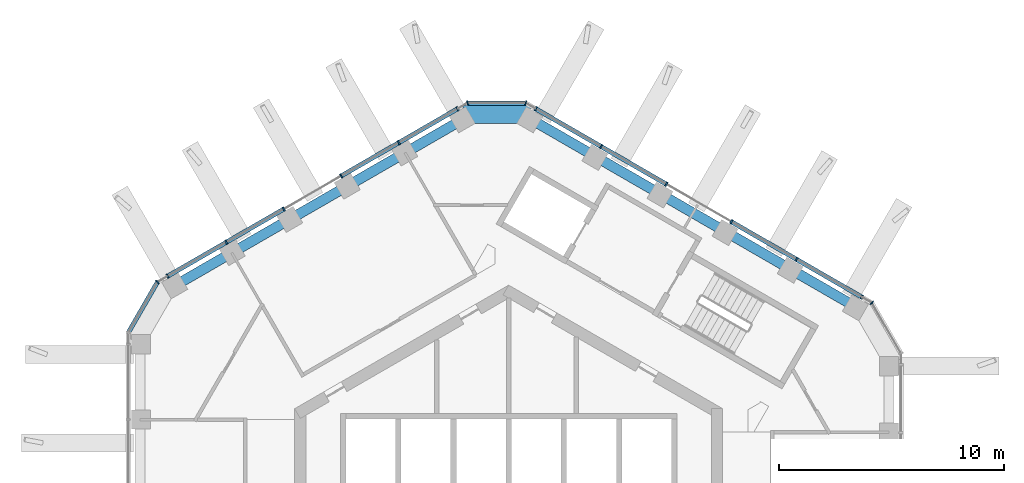
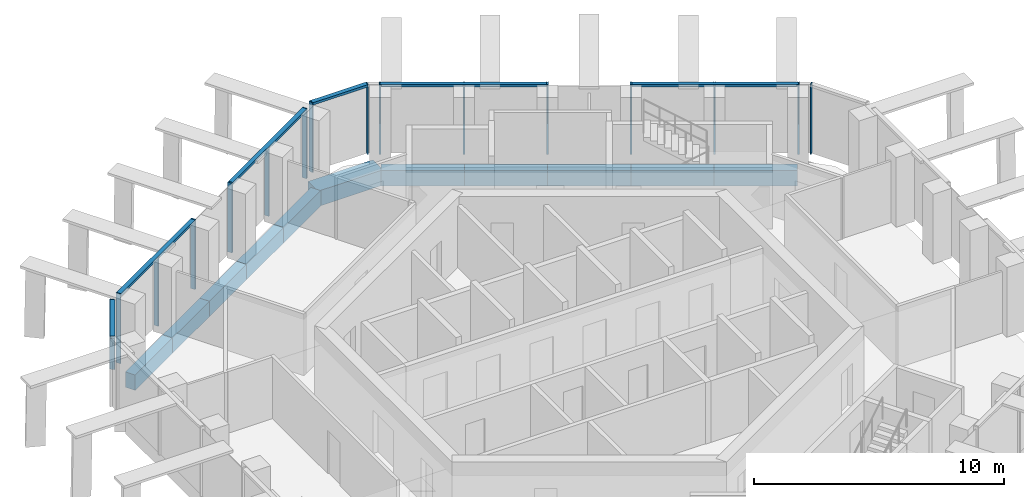
# One storey, part 5 of 17: 22 members, 11 beams, 5 elements without a shape of their own.
"""IFC4 building model written with IfcOpenShell, lengths in metres."""

from ifc_helpers import new_model, si_unit, direction, frame, origin, origin_2d, place, context, subcontext, project, spatial, rectangle, extrude, material, layer, layer_set, material_profile, profile_set, type_object, element, aggregate, save


model = new_model("IFC4")

# Units and contexts
model_context = context("Model", 3, precision=1e-05, world=origin(), true_north=direction((0.0, 1.0)))
body_context = subcontext(model_context, "Body", "Model", "MODEL_VIEW")
ifc_project = project(units=[si_unit("LENGTHUNIT", "METRE"), si_unit("AREAUNIT", "SQUARE_METRE"), si_unit("VOLUMEUNIT", "CUBIC_METRE"), si_unit("PLANEANGLEUNIT", "RADIAN"), si_unit("MASSUNIT", "GRAM", prefix="KILO")], contexts=[model_context])

# Site, building, storey
site_placement = place(None, origin())
site = spatial("IfcSite", under=ifc_project, at=site_placement, CompositionType="ELEMENT")
building_placement = place(site_placement, origin())
building = spatial("IfcBuilding", under=site, at=building_placement, Name="Ayvan Gate Tower", CompositionType="ELEMENT")
storey_placement = place(building_placement, frame((0.0, 0.0, 249.5)))
storey = spatial("IfcBuildingStorey", under=building, at=storey_placement, Name="L67", CompositionType="ELEMENT", Elevation=249.5)

# Beams
ifc_material_1 = material(Name="Concrete C40/50", Category="concrete")
ifc_material_profile_1 = material_profile(ifc_material_1, rectangle(XDim=0.800048828125, YDim=0.75, at=origin_2d()), Name="RC 800x750")
ifc_profile_set_1 = profile_set([ifc_material_profile_1], Name="Concrete C40/50")
beam_type_1 = type_object("IfcBeamType", Name="Corner spandrel beam RC 800x750 C40/50", PredefinedType="BEAM", material=ifc_profile_set_1)
beam_1_placement = place(storey_placement, frame((0.978515625, 18.552978515625, -0.72509765625), z_axis=(-1.0, 0.0, 0.0), x_axis=(0.0, -1.0, 0.0)))
element("IfcBeam", 1, at=beam_1_placement, inside=storey, type_object=beam_type_1, Name="SB-L67-12", PredefinedType="BEAM", context=body_context, shape_type="SweptSolid", body=[
    extrude(rectangle(XDim=0.800048828125, YDim=0.75, at=origin_2d()), origin(), (0.0, 0.0, 1.0), 3.0),
])
ifc_material_profile_2 = material_profile(ifc_material_1, rectangle(XDim=0.449951171875, YDim=0.75, at=origin_2d()), Name="RC 450x750")
ifc_profile_set_2 = profile_set([ifc_material_profile_2], Name="Concrete C40/50")
beam_type_2 = type_object("IfcBeamType", Name="Spandrel beam RC 450x750 C40/50", PredefinedType="BEAM", material=ifc_profile_set_2)
beam_2_placement = place(storey_placement, frame((15.387451171875, 10.013916015625, -0.72509765625), z_axis=(-0.866026756424, 0.499997657153, 0.0), x_axis=(-0.499997657153, -0.866026756424, 0.0)))
element("IfcBeam", 2, at=beam_2_placement, inside=storey, type_object=beam_type_2, Name="SB-L67-7", PredefinedType="BEAM", context=body_context, shape_type="SweptSolid", body=[
    extrude(rectangle(XDim=0.449951171875, YDim=0.75, at=origin_2d()), origin(), (0.0, 0.0, 1.0), 3.32763671875),
])
beam_3_placement = place(storey_placement, frame((12.505615234375, 11.677734375, -0.72509765625), z_axis=(-0.866008413041, 0.500029427677, 0.0), x_axis=(-0.500029427677, -0.866008413041, 0.0)))
element("IfcBeam", 3, at=beam_3_placement, inside=storey, type_object=beam_type_2, Name="SB-L67-8", PredefinedType="BEAM", context=body_context, shape_type="SweptSolid", body=[
    extrude(rectangle(XDim=0.449951171875, YDim=0.75, at=origin_2d()), origin(), (0.0, 0.0, 1.0), 3.327392578125),
])
for number, where, z_axis, x_axis, name in (
    (4, (9.6240234375, 13.341552734375, -0.72509765625), (-0.866026756424, 0.499997657153, 0.0), (-0.499997657153, -0.866026756424, 0.0), "SB-L67-9"),
    (5, (6.7421875, 15.00537109375, -0.72509765625), (-0.866026756424, 0.499997657153, 0.0), (-0.499997657153, -0.866026756424, 0.0), "SB-L67-10"),
    (6, (3.8603515625, 16.669189453125, -0.72509765625), (-0.866026756424, 0.499997657153, 0.0), (-0.499997657153, -0.866026756424, 0.0), "SB-L67-11"),
):
    element("IfcBeam", number, at=place(storey_placement, frame(where, z_axis=z_axis, x_axis=x_axis)), inside=storey, type_object=beam_type_2, Name=name, PredefinedType="BEAM", context=body_context, shape_type="SweptSolid", body=[
        extrude(rectangle(XDim=0.449951171875, YDim=0.75, at=origin_2d()), origin(), (0.0, 0.0, 1.0), 3.32763671875),
    ])
for number, where, z_axis, x_axis, name in (
    (7, (-2.021484375, 18.3330078125, -0.72509765625), (-0.866021110356, -0.500007436363, 0.0), (0.500007436363, -0.866021110356, 0.0), "SB-L67-13"),
    (8, (-4.59033203125, 16.849853515625, -0.72509765625), (-0.866021110356, -0.500007436363, 0.0), (0.500007436363, -0.866021110356, 0.0), "SB-L67-14"),
):
    element("IfcBeam", number, at=place(storey_placement, frame(where, z_axis=z_axis, x_axis=x_axis)), inside=storey, type_object=beam_type_2, Name=name, PredefinedType="BEAM", context=body_context, shape_type="SweptSolid", body=[
        extrude(rectangle(XDim=0.449951171875, YDim=0.75, at=origin_2d()), origin(), (0.0, 0.0, 1.0), 2.96630859375),
    ])
beam_4_placement = place(storey_placement, frame((-7.1591796875, 15.36669921875, -0.72509765625), z_axis=(-0.866006048917, -0.500033522115, 0.0), x_axis=(0.500033522115, -0.866006048917, 0.0)))
element("IfcBeam", 9, at=beam_4_placement, inside=storey, type_object=beam_type_2, Name="SB-L67-15", PredefinedType="BEAM", context=body_context, shape_type="SweptSolid", body=[
    extrude(rectangle(XDim=0.449951171875, YDim=0.75, at=origin_2d()), origin(), (0.0, 0.0, 1.0), 2.966552734375),
])
for number, where, z_axis, x_axis, name in (
    (10, (-9.728271484375, 13.88330078125, -0.72509765625), (-0.866021110356, -0.500007436363, 0.0), (0.500007436363, -0.866021110356, 0.0), "SB-L67-16"),
    (11, (-12.297119140625, 12.400146484375, -0.72509765625), (-0.866021110356, -0.500007436363, 0.0), (0.500007436363, -0.866021110356, 0.0), "SB-L67-17"),
):
    element("IfcBeam", number, at=place(storey_placement, frame(where, z_axis=z_axis, x_axis=x_axis)), inside=storey, type_object=beam_type_2, Name=name, PredefinedType="BEAM", context=body_context, shape_type="SweptSolid", body=[
        extrude(rectangle(XDim=0.449951171875, YDim=0.75, at=origin_2d()), origin(), (0.0, 0.0, 1.0), 2.96630859375),
    ])

# Curtain wall, members
ifc_material_2 = material(Name="Bronze anodised aluminium", Category="aluminium")
ifc_layer_1 = layer(ifc_material_2, 0.199951171875)
ifc_layer_set_1 = layer_set([ifc_layer_1], Name="Bronze anodised aluminium")
curtain_wall_type_1 = type_object("IfcCurtainWallType", Name="Stick curtain wall CW-2", PredefinedType="NOTDEFINED", material=ifc_layer_set_1)
curtain_wall_1_placement = place(storey_placement, origin())
curtain_wall_1 = element("IfcCurtainWall", 12, at=curtain_wall_1_placement, inside=storey, type_object=curtain_wall_type_1, Name="Stick curtain wall CW-2 L67", PredefinedType="NOTDEFINED")
ifc_material_profile_3 = material_profile(ifc_material_2, rectangle(XDim=0.199951171875, YDim=0.070068359375, at=origin_2d()), Name="Stick curtain wall CW-2 mullion 200 x 70")
ifc_profile_set_3 = profile_set([ifc_material_profile_3], Name="Bronze anodised aluminium")
member_type_1 = type_object("IfcMemberType", Name="Stick curtain wall CW-2 mullion 200 x 70", PredefinedType="MULLION", material=ifc_profile_set_3)
member_1_placement = place(storey_placement, frame((-2.26708984375, 18.79736328125, 0.0), z_axis=(0.0, 0.0, 1.0), x_axis=(-0.5, 0.866025403784, 0.0)))
member_1 = element("IfcMember", 13, at=member_1_placement, type_object=member_type_1, Name="CW-2 mullion 1", PredefinedType="MULLION", context=body_context, shape_type="SweptSolid", body=[
    extrude(rectangle(XDim=0.199951171875, YDim=0.070068359375, at=origin_2d()), origin(), (0.0, 0.0, 1.0), 3.39990234375),
])
member_2_placement = place(storey_placement, frame((-4.878173828125, 17.289794921875, 0.0), z_axis=(0.0, 0.0, 1.0), x_axis=(-0.5, 0.866025403784, 0.0)))
member_2 = element("IfcMember", 14, at=member_2_placement, type_object=member_type_1, Name="CW-2 mullion 2", PredefinedType="MULLION", context=body_context, shape_type="SweptSolid", body=[
    extrude(rectangle(XDim=0.199951171875, YDim=0.070068359375, at=origin_2d()), origin(), (0.0, 0.0, 1.0), 3.39990234375),
])
member_3_placement = place(storey_placement, frame((-7.430419921875, 15.81640625, 0.0), z_axis=(0.0, 0.0, 1.0), x_axis=(-0.5, 0.866025403784, 0.0)))
member_3 = element("IfcMember", 15, at=member_3_placement, type_object=member_type_1, Name="CW-2 mullion 3", PredefinedType="MULLION", context=body_context, shape_type="SweptSolid", body=[
    extrude(rectangle(XDim=0.199951171875, YDim=0.070068359375, at=origin_2d()), origin(), (0.0, 0.0, 1.0), 3.39990234375),
])
member_4_placement = place(storey_placement, frame((-9.982421875, 14.3427734375, 0.0), z_axis=(0.0, 0.0, 1.0), x_axis=(-0.5, 0.866025403784, 0.0)))
member_4 = element("IfcMember", 16, at=member_4_placement, type_object=member_type_1, Name="CW-2 mullion 4", PredefinedType="MULLION", context=body_context, shape_type="SweptSolid", body=[
    extrude(rectangle(XDim=0.199951171875, YDim=0.070068359375, at=origin_2d()), origin(), (0.0, 0.0, 1.0), 3.39990234375),
])
member_5_placement = place(storey_placement, frame((-12.53369140625, 12.869873046875, 0.0), z_axis=(0.0, 0.0, 1.0), x_axis=(-0.5, 0.866025403784, 0.0)))
member_5 = element("IfcMember", 17, at=member_5_placement, type_object=member_type_1, Name="CW-2 mullion 5", PredefinedType="MULLION", context=body_context, shape_type="SweptSolid", body=[
    extrude(rectangle(XDim=0.199951171875, YDim=0.070068359375, at=origin_2d()), origin(), (0.0, 0.0, 1.0), 3.39990234375),
])
member_6_placement = place(storey_placement, frame((-15.1455078125, 11.362060546875, 0.0), z_axis=(0.0, 0.0, 1.0), x_axis=(-0.5, 0.866025403784, 0.0)))
member_6 = element("IfcMember", 18, at=member_6_placement, type_object=member_type_1, Name="CW-2 mullion 6", PredefinedType="MULLION", context=body_context, shape_type="SweptSolid", body=[
    extrude(rectangle(XDim=0.199951171875, YDim=0.070068359375, at=origin_2d()), origin(), (0.0, 0.0, 1.0), 3.39990234375),
])

curtain_wall_2_placement = place(storey_placement, origin())
curtain_wall_2 = element("IfcCurtainWall", 19, at=curtain_wall_2_placement, inside=storey, type_object=curtain_wall_type_1, Name="Stick curtain wall CW-2 L67", PredefinedType="NOTDEFINED")
member_7_placement = place(storey_placement, frame((15.679443359375, 10.436767578125, 0.0), z_axis=(0.0, 0.0, 1.0), x_axis=(0.5, 0.866025403784, 0.0)))
member_7 = element("IfcMember", 20, at=member_7_placement, type_object=member_type_1, Name="CW-2 mullion 1", PredefinedType="MULLION", context=body_context, shape_type="SweptSolid", body=[
    extrude(rectangle(XDim=0.199951171875, YDim=0.070068359375, at=origin_2d()), origin(), (0.0, 0.0, 1.0), 3.39990234375),
])
member_8_placement = place(storey_placement, frame((12.77490234375, 12.11376953125, 0.0), z_axis=(0.0, 0.0, 1.0), x_axis=(0.5, 0.866025403784, 0.0)))
member_8 = element("IfcMember", 21, at=member_8_placement, type_object=member_type_1, Name="CW-2 mullion 2", PredefinedType="MULLION", context=body_context, shape_type="SweptSolid", body=[
    extrude(rectangle(XDim=0.199951171875, YDim=0.070068359375, at=origin_2d()), origin(), (0.0, 0.0, 1.0), 3.39990234375),
])
member_9_placement = place(storey_placement, frame((9.884033203125, 13.782958984375, 0.0), z_axis=(0.0, 0.0, 1.0), x_axis=(0.5, 0.866025403784, 0.0)))
member_9 = element("IfcMember", 22, at=member_9_placement, type_object=member_type_1, Name="CW-2 mullion 3", PredefinedType="MULLION", context=body_context, shape_type="SweptSolid", body=[
    extrude(rectangle(XDim=0.199951171875, YDim=0.070068359375, at=origin_2d()), origin(), (0.0, 0.0, 1.0), 3.39990234375),
])
member_10_placement = place(storey_placement, frame((6.994140625, 15.451416015625, 0.0), z_axis=(0.0, 0.0, 1.0), x_axis=(0.5, 0.866025403784, 0.0)))
member_10 = element("IfcMember", 23, at=member_10_placement, type_object=member_type_1, Name="CW-2 mullion 4", PredefinedType="MULLION", context=body_context, shape_type="SweptSolid", body=[
    extrude(rectangle(XDim=0.199951171875, YDim=0.070068359375, at=origin_2d()), origin(), (0.0, 0.0, 1.0), 3.39990234375),
])
member_11_placement = place(storey_placement, frame((4.103271484375, 17.120361328125, 0.0), z_axis=(0.0, 0.0, 1.0), x_axis=(0.5, 0.866025403784, 0.0)))
member_11 = element("IfcMember", 24, at=member_11_placement, type_object=member_type_1, Name="CW-2 mullion 5", PredefinedType="MULLION", context=body_context, shape_type="SweptSolid", body=[
    extrude(rectangle(XDim=0.199951171875, YDim=0.070068359375, at=origin_2d()), origin(), (0.0, 0.0, 1.0), 3.39990234375),
])
member_12_placement = place(storey_placement, frame((1.19873046875, 18.79736328125, 0.0), z_axis=(0.0, 0.0, 1.0), x_axis=(0.5, 0.866025403784, 0.0)))
member_12 = element("IfcMember", 25, at=member_12_placement, type_object=member_type_1, Name="CW-2 mullion 6", PredefinedType="MULLION", context=body_context, shape_type="SweptSolid", body=[
    extrude(rectangle(XDim=0.199951171875, YDim=0.070068359375, at=origin_2d()), origin(), (0.0, 0.0, 1.0), 3.39990234375),
])

# Member
ifc_material_profile_4 = material_profile(ifc_material_2, rectangle(XDim=0.199951171875, YDim=0.1201171875, at=origin_2d()), Name="Stick curtain wall CW-2 transom 200 x 120")
ifc_profile_set_4 = profile_set([ifc_material_profile_4], Name="Bronze anodised aluminium")
member_type_2 = type_object("IfcMemberType", Name="Stick curtain wall CW-2 transom 200 x 120", PredefinedType="USERDEFINED", material=ifc_profile_set_4)
member_13_placement = place(storey_placement, frame((-2.26708984375, 18.79736328125, 3.340087890625), z_axis=(-0.866011349365, -0.500024342178, 0.0), x_axis=(0.500024342178, -0.866011349365, 0.0)))
member_13 = element("IfcMember", 26, at=member_13_placement, type_object=member_type_2, Name="CW-2 transom 1", ObjectType="TRANSOM", PredefinedType="USERDEFINED", context=body_context, shape_type="SweptSolid", body=[
    extrude(rectangle(XDim=0.199951171875, YDim=0.1201171875, at=origin_2d()), origin(), (0.0, 0.0, 1.0), 5.927001953125),
])

member_14_placement = place(storey_placement, frame((-10.0126953125, 14.325439453125, 3.340087890625), z_axis=(-0.866029186229, -0.499993448556, 0.0), x_axis=(0.499993448556, -0.866029186229, 0.0)))
member_14 = element("IfcMember", 27, at=member_14_placement, type_object=member_type_2, Name="CW-2 transom 2", ObjectType="TRANSOM", PredefinedType="USERDEFINED", context=body_context, shape_type="SweptSolid", body=[
    extrude(rectangle(XDim=0.199951171875, YDim=0.1201171875, at=origin_2d()), origin(), (0.0, 0.0, 1.0), 5.9267578125),
])

aggregate(curtain_wall_1, [member_1, member_2, member_3, member_4, member_5, member_6, member_13, member_14])

member_15_placement = place(storey_placement, frame((15.679443359375, 10.436767578125, 3.340087890625), z_axis=(-0.866018245766, 0.500012397847, 0.0), x_axis=(-0.500012397847, -0.866018245766, 0.0)))
member_15 = element("IfcMember", 28, at=member_15_placement, type_object=member_type_2, Name="CW-2 transom 1", ObjectType="TRANSOM", PredefinedType="USERDEFINED", context=body_context, shape_type="SweptSolid", body=[
    extrude(rectangle(XDim=0.199951171875, YDim=0.1201171875, at=origin_2d()), origin(), (0.0, 0.0, 1.0), 6.656982421875),
])

member_16_placement = place(storey_placement, frame((6.9638671875, 15.468994140625, 3.340087890625), z_axis=(-0.866034126161, 0.499984892096, 0.0), x_axis=(-0.499984892096, -0.866034126161, 0.0)))
member_16 = element("IfcMember", 29, at=member_16_placement, type_object=member_type_2, Name="CW-2 transom 2", ObjectType="TRANSOM", PredefinedType="USERDEFINED", context=body_context, shape_type="SweptSolid", body=[
    extrude(rectangle(XDim=0.199951171875, YDim=0.1201171875, at=origin_2d()), origin(), (0.0, 0.0, 1.0), 6.656982421875),
])

aggregate(curtain_wall_2, [member_7, member_8, member_9, member_10, member_11, member_12, member_15, member_16])

# Curtain wall, member
ifc_layer_2 = layer(ifc_material_2, 0.199951171875)
ifc_layer_set_2 = layer_set([ifc_layer_2], Name="Bronze anodised aluminium")
curtain_wall_type_2 = type_object("IfcCurtainWallType", Name="Stick curtain wall CW-6", PredefinedType="NOTDEFINED", material=ifc_layer_set_2)
curtain_wall_3_placement = place(storey_placement, origin())
curtain_wall_3 = element("IfcCurtainWall", 30, at=curtain_wall_3_placement, inside=storey, type_object=curtain_wall_type_2, Name="Stick curtain wall CW-6 L67", PredefinedType="NOTDEFINED")
ifc_material_profile_5 = material_profile(ifc_material_2, rectangle(XDim=0.199951171875, YDim=0.050048828125, at=origin_2d()), Name="Stick curtain wall CW-6 mullion 200 x 50")
ifc_profile_set_5 = profile_set([ifc_material_profile_5], Name="Bronze anodised aluminium")
member_type_3 = type_object("IfcMemberType", Name="Stick curtain wall CW-6 mullion 200 x 50", PredefinedType="MULLION", material=ifc_profile_set_5)
member_17_placement = place(storey_placement, frame((-15.587158203125, 11.10693359375, 0.0), z_axis=(0.0, 0.0, 1.0), x_axis=(-0.707106781187, 0.707106781187, 0.0)))
member_17 = element("IfcMember", 31, at=member_17_placement, type_object=member_type_3, Name="CW-6 mullion 2", PredefinedType="MULLION", context=body_context, shape_type="SweptSolid", body=[
    extrude(rectangle(XDim=0.199951171875, YDim=0.050048828125, at=origin_2d()), origin(), (0.0, 0.0, 1.0), 3.39990234375),
])

curtain_wall_4_placement = place(storey_placement, origin())
curtain_wall_4 = element("IfcCurtainWall", 32, at=curtain_wall_4_placement, inside=storey, type_object=curtain_wall_type_2, Name="Stick curtain wall CW-6 L67", PredefinedType="NOTDEFINED")
member_18_placement = place(storey_placement, frame((16.12109375, 10.181884765625, 0.0), z_axis=(0.0, 0.0, 1.0), x_axis=(0.707106781187, 0.707106781187, 0.0)))
member_18 = element("IfcMember", 33, at=member_18_placement, type_object=member_type_3, Name="CW-6 mullion 3", PredefinedType="MULLION", context=body_context, shape_type="SweptSolid", body=[
    extrude(rectangle(XDim=0.199951171875, YDim=0.050048828125, at=origin_2d()), origin(), (0.0, 0.0, 1.0), 3.39990234375),
])
aggregate(curtain_wall_4, [member_18])

# Curtain wall, members
curtain_wall_5_placement = place(storey_placement, origin())
curtain_wall_5 = element("IfcCurtainWall", 34, at=curtain_wall_5_placement, inside=storey, type_object=curtain_wall_type_2, Name="Stick curtain wall CW-6 L67", PredefinedType="NOTDEFINED")
member_19_placement = place(storey_placement, frame((0.757080078125, 19.05224609375, 0.0), z_axis=(0.0, 0.0, 1.0), x_axis=(0.258819045103, 0.965925826289, 0.0)))
member_19 = element("IfcMember", 35, at=member_19_placement, type_object=member_type_3, Name="CW-6 mullion 2", PredefinedType="MULLION", context=body_context, shape_type="SweptSolid", body=[
    extrude(rectangle(XDim=0.199951171875, YDim=0.050048828125, at=origin_2d()), origin(), (0.0, 0.0, 1.0), 3.39990234375),
])
member_20_placement = place(storey_placement, frame((-1.825439453125, 19.05224609375, 0.0), z_axis=(0.0, 0.0, 1.0), x_axis=(-0.258819045103, 0.965925826289, 0.0)))
member_20 = element("IfcMember", 36, at=member_20_placement, type_object=member_type_3, Name="CW-6 mullion 3", PredefinedType="MULLION", context=body_context, shape_type="SweptSolid", body=[
    extrude(rectangle(XDim=0.199951171875, YDim=0.050048828125, at=origin_2d()), origin(), (0.0, 0.0, 1.0), 3.39990234375),
])

# Member
ifc_material_profile_6 = material_profile(ifc_material_2, rectangle(XDim=0.199951171875, YDim=0.1201171875, at=origin_2d()), Name="Stick curtain wall CW-6 transom 200 x 120")
ifc_profile_set_6 = profile_set([ifc_material_profile_6], Name="Bronze anodised aluminium")
member_type_4 = type_object("IfcMemberType", Name="Stick curtain wall CW-6 transom 200 x 120", PredefinedType="USERDEFINED", material=ifc_profile_set_6)
member_21_placement = place(storey_placement, frame((-15.599609375, 11.08544921875, 3.340087890625), z_axis=(-0.500006158363, -0.866021848223, 0.0), x_axis=(0.866021848223, -0.500006158363, 0.0)))
member_21 = element("IfcMember", 37, at=member_21_placement, type_object=member_type_4, Name="CW-6 transom 1", ObjectType="TRANSOM", PredefinedType="USERDEFINED", context=body_context, shape_type="SweptSolid", body=[
    extrude(rectangle(XDim=0.199951171875, YDim=0.1201171875, at=origin_2d()), origin(), (0.0, 0.0, 1.0), 2.53271484375),
])

aggregate(curtain_wall_3, [member_17, member_21])

member_22_placement = place(storey_placement, frame((0.732177734375, 19.05224609375, 3.340087890625), z_axis=(-1.0, 0.0, 0.0), x_axis=(0.0, -1.0, 0.0)))
member_22 = element("IfcMember", 38, at=member_22_placement, type_object=member_type_4, Name="CW-6 transom 2", ObjectType="TRANSOM", PredefinedType="USERDEFINED", context=body_context, shape_type="SweptSolid", body=[
    extrude(rectangle(XDim=0.199951171875, YDim=0.1201171875, at=origin_2d()), origin(), (0.0, 0.0, 1.0), 2.532470703125),
])

aggregate(curtain_wall_5, [member_19, member_20, member_22])

save(model, "model.ifc")
